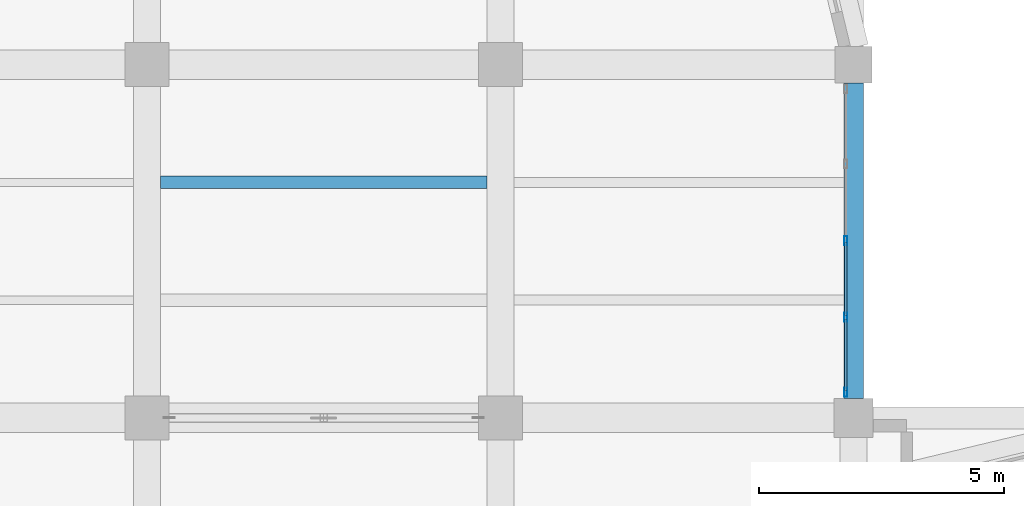
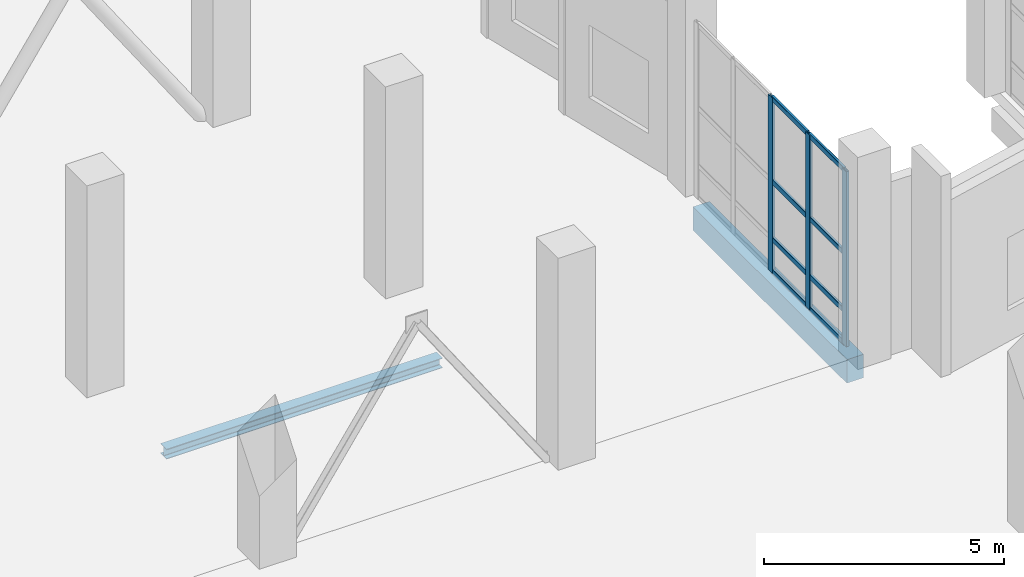
# One storey, part 14 of 137: 11 members, 2 beams, 1 element without a shape of its own.
"""IFC4 building model written with IfcOpenShell, lengths in metres."""

from ifc_helpers import new_model, si_unit, direction, frame, origin, origin_2d, place, context, subcontext, project, spatial, rectangle, hollow_rectangle, i_section, extrude, material, material_profile, profile_set, type_object, element, aggregate, save


model = new_model("IFC4")

# Units and contexts
model_context = context("Model", 3, precision=1e-05, world=origin(), true_north=direction((0.0, 1.0)))
body_context = subcontext(model_context, "Body", "Model", "MODEL_VIEW")
ifc_project = project(units=[si_unit("LENGTHUNIT", "METRE"), si_unit("AREAUNIT", "SQUARE_METRE"), si_unit("VOLUMEUNIT", "CUBIC_METRE"), si_unit("PLANEANGLEUNIT", "RADIAN"), si_unit("MASSUNIT", "GRAM", prefix="KILO")], contexts=[model_context])

# Site, building, storey
site_placement = place(None, origin())
site = spatial("IfcSite", under=ifc_project, at=site_placement, CompositionType="ELEMENT")
building_placement = place(site_placement, origin())
building = spatial("IfcBuilding", under=site, at=building_placement, Name="Kalmorath City Hall", CompositionType="ELEMENT")
storey_placement = place(building_placement, origin())
storey = spatial("IfcBuildingStorey", under=building, at=storey_placement, Name="L00", CompositionType="ELEMENT", Elevation=0.0)

# Beam
ifc_material_1 = material(Name="Concrete C40/50", Category="concrete")
ifc_material_profile_1 = material_profile(ifc_material_1, rectangle(XDim=0.39990234375, YDim=0.60009765625, at=origin_2d()), Name="RC-BM-400X600")
ifc_profile_set_1 = profile_set([ifc_material_profile_1], Name="Concrete C40/50")
beam_type_1 = type_object("IfcBeamType", Name="Concrete edge beam 400x600", PredefinedType="SPANDREL", material=ifc_profile_set_1)
beam_1_placement = place(storey_placement, frame((28.800048828125, 36.39990234375, -0.60400390625), z_axis=(0.0, 1.0, 0.0), x_axis=(-1.0, 0.0, 0.0)))
element("IfcBeam", 1, at=beam_1_placement, inside=storey, type_object=beam_type_1, Name="L00 girder CB6 Y5/6-7", PredefinedType="SPANDREL", context=body_context, shape_type="SweptSolid", body=[
    extrude(rectangle(XDim=0.39990234375, YDim=0.60009765625, at=origin_2d()), origin(), (0.0, 0.0, 1.0), 6.425048828125),
])

# Curtain wall, members
ifc_material_2 = material(Name="Anodised aluminium and laminated glass", Category="aluminium")
curtain_wall_type = type_object("IfcCurtainWallType", Name="Unitised hurricane curtain wall 6245x4461 M1600", PredefinedType="NOTDEFINED", material=ifc_material_2)
curtain_wall_placement = place(storey_placement, origin())
curtain_wall = element("IfcCurtainWall", 2, at=curtain_wall_placement, inside=storey, type_object=curtain_wall_type, Name="L00 curtain wall CW-62X45M16 #58", PredefinedType="NOTDEFINED")
ifc_material_3 = material(Name="Anodised aluminium framing", Category="aluminium")
ifc_material_profile_2 = material_profile(ifc_material_3, hollow_rectangle(XDim=0.06494140625, YDim=0.179931640625, WallThickness=0.00390625, InnerFilletRadius=0.00390625, OuterFilletRadius=0.008056640625, at=origin_2d()), Name="ALU-MUL-180X65X4")
ifc_profile_set_2 = profile_set([ifc_material_profile_2], Name="Anodised aluminium framing")
member_type_1 = type_object("IfcMemberType", Name="Curtain-wall courtyard mullion 180x65", PredefinedType="MULLION", material=ifc_profile_set_2)
member_1_placement = place(storey_placement, frame((28.639892578125, 39.612548828125, 0.0), z_axis=(0.0, 0.0, 1.0), x_axis=(1.0, 0.0, 0.0)))
member_1 = element("IfcMember", 3, at=member_1_placement, type_object=member_type_1, Name="CW-62X45M16 mullion 3", PredefinedType="MULLION", context=body_context, shape_type="SweptSolid", body=[
    extrude(hollow_rectangle(XDim=0.06494140625, YDim=0.179931640625, WallThickness=0.00390625, InnerFilletRadius=0.00390625, OuterFilletRadius=0.008056640625, at=origin_2d()), origin(), (0.0, 0.0, 1.0), 4.4609375),
])
member_2_placement = place(storey_placement, frame((28.639892578125, 38.05126953125, 0.0), z_axis=(0.0, 0.0, 1.0), x_axis=(1.0, 0.0, 0.0)))
member_2 = element("IfcMember", 4, at=member_2_placement, type_object=member_type_1, Name="CW-62X45M16 mullion 4", PredefinedType="MULLION", context=body_context, shape_type="SweptSolid", body=[
    extrude(hollow_rectangle(XDim=0.06494140625, YDim=0.179931640625, WallThickness=0.00390625, InnerFilletRadius=0.00390625, OuterFilletRadius=0.008056640625, at=origin_2d()), origin(), (0.0, 0.0, 1.0), 4.4609375),
])
member_3_placement = place(storey_placement, frame((28.639892578125, 36.5224609375, 0.0), z_axis=(0.0, 0.0, 1.0), x_axis=(1.0, 0.0, 0.0)))
member_3 = element("IfcMember", 5, at=member_3_placement, type_object=member_type_1, Name="CW-62X45M16 mullion 5", PredefinedType="MULLION", context=body_context, shape_type="SweptSolid", body=[
    extrude(hollow_rectangle(XDim=0.06494140625, YDim=0.179931640625, WallThickness=0.00390625, InnerFilletRadius=0.00390625, OuterFilletRadius=0.008056640625, at=origin_2d()), origin(), (0.0, 0.0, 1.0), 4.4609375),
])
ifc_material_4 = material(Name="Anodised aluminium framing", Category="aluminium")
ifc_material_profile_3 = material_profile(ifc_material_4, hollow_rectangle(XDim=0.06005859375, YDim=0.1298828125, WallThickness=0.00341796875, InnerFilletRadius=0.00341796875, OuterFilletRadius=0.007080078125, at=origin_2d()), Name="ALU-TRN-130X60X3.5")
ifc_profile_set_3 = profile_set([ifc_material_profile_3], Name="Anodised aluminium framing")
member_type_2 = type_object("IfcMemberType", Name="Curtain-wall courtyard transom 130x60", PredefinedType="USERDEFINED", material=ifc_profile_set_3)
member_4_placement = place(storey_placement, frame((28.639892578125, 39.580078125, 0.030029296875), z_axis=(0.0, -1.0, 0.0), x_axis=(1.0, 0.0, 0.0)))
member_4 = element("IfcMember", 6, at=member_4_placement, type_object=member_type_2, Name="CW-62X45M16 transom 3.1", ObjectType="TRANSOM", PredefinedType="USERDEFINED", context=body_context, shape_type="SweptSolid", body=[
    extrude(hollow_rectangle(XDim=0.06005859375, YDim=0.1298828125, WallThickness=0.00341796875, InnerFilletRadius=0.00341796875, OuterFilletRadius=0.007080078125, at=origin_2d()), origin(), (0.0, 0.0, 1.0), 1.496337890625),
])
member_5_placement = place(storey_placement, frame((28.639892578125, 39.580078125, 0.85009765625), z_axis=(0.0, -1.0, 0.0), x_axis=(1.0, 0.0, 0.0)))
member_5 = element("IfcMember", 7, at=member_5_placement, type_object=member_type_2, Name="CW-62X45M16 transom 3.2", ObjectType="TRANSOM", PredefinedType="USERDEFINED", context=body_context, shape_type="SweptSolid", body=[
    extrude(hollow_rectangle(XDim=0.06005859375, YDim=0.1298828125, WallThickness=0.00341796875, InnerFilletRadius=0.00341796875, OuterFilletRadius=0.007080078125, at=origin_2d()), origin(), (0.0, 0.0, 1.0), 1.496337890625),
])
member_6_placement = place(storey_placement, frame((28.639892578125, 39.580078125, 2.320068359375), z_axis=(0.0, -1.0, 0.0), x_axis=(1.0, 0.0, 0.0)))
member_6 = element("IfcMember", 8, at=member_6_placement, type_object=member_type_2, Name="CW-62X45M16 transom 3.3", ObjectType="TRANSOM", PredefinedType="USERDEFINED", context=body_context, shape_type="SweptSolid", body=[
    extrude(hollow_rectangle(XDim=0.06005859375, YDim=0.1298828125, WallThickness=0.00341796875, InnerFilletRadius=0.00341796875, OuterFilletRadius=0.007080078125, at=origin_2d()), origin(), (0.0, 0.0, 1.0), 1.496337890625),
])
member_7_placement = place(storey_placement, frame((28.639892578125, 39.580078125, 4.430908203125), z_axis=(0.0, -1.0, 0.0), x_axis=(1.0, 0.0, 0.0)))
member_7 = element("IfcMember", 9, at=member_7_placement, type_object=member_type_2, Name="CW-62X45M16 transom 3.4", ObjectType="TRANSOM", PredefinedType="USERDEFINED", context=body_context, shape_type="SweptSolid", body=[
    extrude(hollow_rectangle(XDim=0.06005859375, YDim=0.1298828125, WallThickness=0.00341796875, InnerFilletRadius=0.00341796875, OuterFilletRadius=0.007080078125, at=origin_2d()), origin(), (0.0, 0.0, 1.0), 1.496337890625),
])
member_8_placement = place(storey_placement, frame((28.639892578125, 38.018798828125, 0.030029296875), z_axis=(0.0, -1.0, 0.0), x_axis=(1.0, 0.0, 0.0)))
member_8 = element("IfcMember", 10, at=member_8_placement, type_object=member_type_2, Name="CW-62X45M16 transom 4.1", ObjectType="TRANSOM", PredefinedType="USERDEFINED", context=body_context, shape_type="SweptSolid", body=[
    extrude(hollow_rectangle(XDim=0.06005859375, YDim=0.1298828125, WallThickness=0.00341796875, InnerFilletRadius=0.00341796875, OuterFilletRadius=0.007080078125, at=origin_2d()), origin(), (0.0, 0.0, 1.0), 1.4638671875),
])
member_9_placement = place(storey_placement, frame((28.639892578125, 38.018798828125, 0.85009765625), z_axis=(0.0, -1.0, 0.0), x_axis=(1.0, 0.0, 0.0)))
member_9 = element("IfcMember", 11, at=member_9_placement, type_object=member_type_2, Name="CW-62X45M16 transom 4.2", ObjectType="TRANSOM", PredefinedType="USERDEFINED", context=body_context, shape_type="SweptSolid", body=[
    extrude(hollow_rectangle(XDim=0.06005859375, YDim=0.1298828125, WallThickness=0.00341796875, InnerFilletRadius=0.00341796875, OuterFilletRadius=0.007080078125, at=origin_2d()), origin(), (0.0, 0.0, 1.0), 1.4638671875),
])
member_10_placement = place(storey_placement, frame((28.639892578125, 38.018798828125, 2.320068359375), z_axis=(0.0, -1.0, 0.0), x_axis=(1.0, 0.0, 0.0)))
member_10 = element("IfcMember", 12, at=member_10_placement, type_object=member_type_2, Name="CW-62X45M16 transom 4.3", ObjectType="TRANSOM", PredefinedType="USERDEFINED", context=body_context, shape_type="SweptSolid", body=[
    extrude(hollow_rectangle(XDim=0.06005859375, YDim=0.1298828125, WallThickness=0.00341796875, InnerFilletRadius=0.00341796875, OuterFilletRadius=0.007080078125, at=origin_2d()), origin(), (0.0, 0.0, 1.0), 1.4638671875),
])
member_11_placement = place(storey_placement, frame((28.639892578125, 38.018798828125, 4.430908203125), z_axis=(0.0, -1.0, 0.0), x_axis=(1.0, 0.0, 0.0)))
member_11 = element("IfcMember", 13, at=member_11_placement, type_object=member_type_2, Name="CW-62X45M16 transom 4.4", ObjectType="TRANSOM", PredefinedType="USERDEFINED", context=body_context, shape_type="SweptSolid", body=[
    extrude(hollow_rectangle(XDim=0.06005859375, YDim=0.1298828125, WallThickness=0.00341796875, InnerFilletRadius=0.00341796875, OuterFilletRadius=0.007080078125, at=origin_2d()), origin(), (0.0, 0.0, 1.0), 1.4638671875),
])
aggregate(curtain_wall, [member_1, member_2, member_3, member_4, member_5, member_6, member_7, member_8, member_9, member_10, member_11])

# Beam
ifc_material_5 = material(Name="Steel ASTM A992 Grade 50", Category="steel")
ifc_material_profile_4 = material_profile(ifc_material_5, i_section(OverallWidth=0.25390625, OverallDepth=0.2529296875, WebThickness=0.008544921875, FlangeThickness=0.01416015625, FilletRadius=0.011962890625, at=origin_2d()), Name="W10X49")
ifc_profile_set_4 = profile_set([ifc_material_profile_4], Name="Steel ASTM A992 Grade 50")
beam_type_2 = type_object("IfcBeamType", Name="Steel trimmer beam W10X49", PredefinedType="BEAM", material=ifc_profile_set_4)
beam_2_placement = place(storey_placement, frame((14.675048828125, 40.800048828125, -0.430419921875), z_axis=(1.0, 0.0, 0.0), x_axis=(0.0, 1.0, 0.0)))
element("IfcBeam", 14, at=beam_2_placement, inside=storey, type_object=beam_type_2, Name="L00 joist SJ14 3.6.2", PredefinedType="BEAM", context=body_context, shape_type="SweptSolid", body=[
    extrude(i_section(OverallWidth=0.25390625, OverallDepth=0.2529296875, WebThickness=0.008544921875, FlangeThickness=0.01416015625, FilletRadius=0.011962890625, at=origin_2d()), origin(), (0.0, 0.0, 1.0), 6.64990234375),
])

save(model, "model.ifc")
